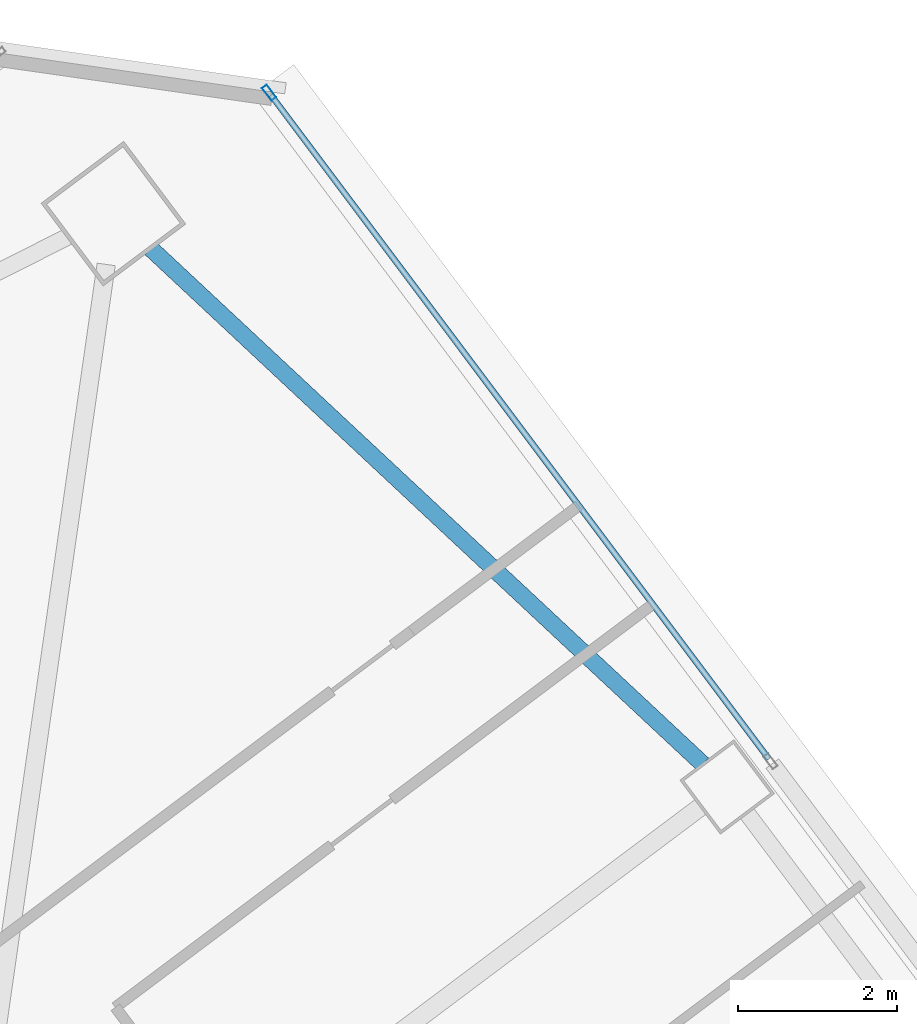
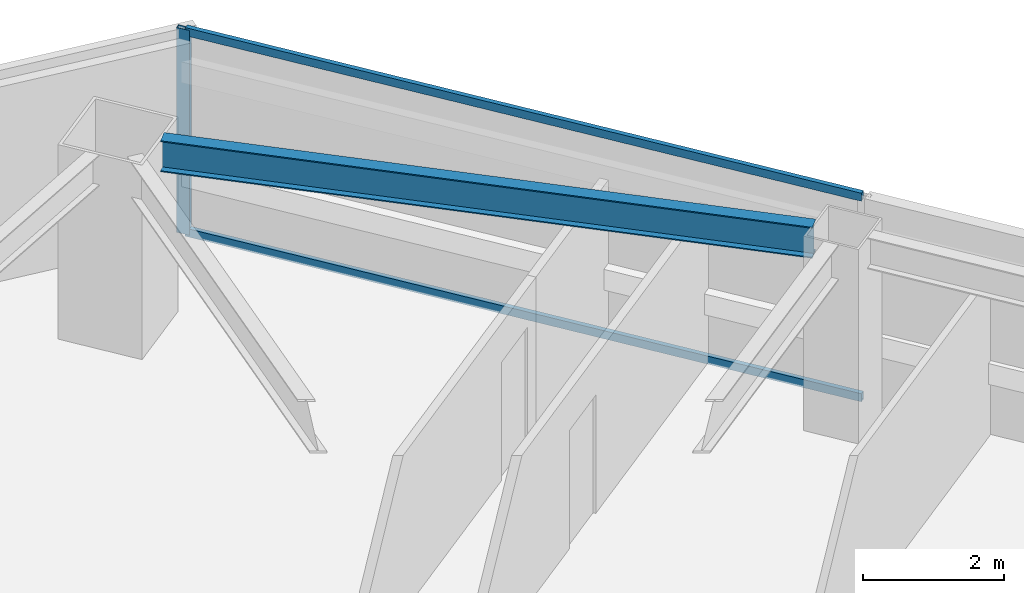
# One storey, part 29 of 41: 3 members, 1 beam, 1 element without a shape of its own.
"""IFC4 building model written with IfcOpenShell, lengths in metres."""

from ifc_helpers import new_model, si_unit, direction, frame, origin, origin_2d, place, context, subcontext, project, spatial, hollow_rectangle, i_section, extrude, material, material_profile, profile_set, type_object, element, aggregate, save


model = new_model("IFC4")

# Units and contexts
model_context = context("Model", 3, precision=1e-05, world=origin(), true_north=direction((0.0, 1.0)))
body_context = subcontext(model_context, "Body", "Model", "MODEL_VIEW")
ifc_project = project(units=[si_unit("LENGTHUNIT", "METRE"), si_unit("AREAUNIT", "SQUARE_METRE"), si_unit("VOLUMEUNIT", "CUBIC_METRE"), si_unit("PLANEANGLEUNIT", "RADIAN"), si_unit("MASSUNIT", "GRAM", prefix="KILO")], contexts=[model_context])

# Site, building, storey
site_placement = place(None, origin())
site = spatial("IfcSite", under=ifc_project, at=site_placement, CompositionType="ELEMENT")
building_placement = place(site_placement, origin())
building = spatial("IfcBuilding", under=site, at=building_placement, Name="Tashvorn Skyway Center", CompositionType="ELEMENT")
storey_placement = place(building_placement, frame((0.0, 0.0, 117.949951171875)))
storey = spatial("IfcBuildingStorey", under=building, at=storey_placement, Name="L31", CompositionType="ELEMENT", Elevation=117.949951171875)

# Beam
ifc_material_1 = material(Name="Steel ASTM A992 Grade 50", Category="steel")
ifc_material_profile_1 = material_profile(ifc_material_1, i_section(OverallWidth=0.2109375, OverallDepth=0.5390625, WebThickness=0.01171875, FlangeThickness=0.018798828125, at=origin_2d()), Name="W21X73")
ifc_profile_set_1 = profile_set([ifc_material_profile_1], Name="Steel ASTM A992 Grade 50")
beam_type = type_object("IfcBeamType", Name="BM-SPANDREL-W21X73", PredefinedType="SPANDREL", material=ifc_profile_set_1)
beam_placement = place(storey_placement, frame((124.572998046875, 47.19677734375, 3.1005859375), z_axis=(-0.730843250868, 0.682545341102, 0.0), x_axis=(-0.682545341102, -0.730843250868, 0.0)))
element("IfcBeam", 1, at=beam_placement, inside=storey, type_object=beam_type, Name="Tower 2 L31 Spandrel Beam 06", PredefinedType="SPANDREL", context=body_context, shape_type="SweptSolid", body=[
    extrude(i_section(OverallWidth=0.2109375, OverallDepth=0.5390625, WebThickness=0.01171875, FlangeThickness=0.018798828125, at=origin_2d()), origin(), (0.0, 0.0, 1.0), 9.498046875),
])

# Curtain wall, members
ifc_material_2 = material(Name="Thermally broken bronze-anodized aluminium 6063-T6", Category="aluminium")
curtain_wall_type = type_object("IfcCurtainWallType", Name="CW-CW-Z3", PredefinedType="NOTDEFINED", material=ifc_material_2)
curtain_wall_placement = place(storey_placement, origin())
curtain_wall = element("IfcCurtainWall", 2, at=curtain_wall_placement, inside=storey, type_object=curtain_wall_type, Name="Tower 2 L31 East Unitised Curtain Wall Glazing Group 1", PredefinedType="NOTDEFINED")
ifc_material_profile_2 = material_profile(ifc_material_2, hollow_rectangle(XDim=0.074951171875, YDim=0.199951171875, WallThickness=0.00439453125, at=origin_2d()), Name="ALU-MULL-75x200")
ifc_profile_set_2 = profile_set([ifc_material_profile_2], Name="Thermally broken bronze-anodized aluminium 6063-T6")
member_type_1 = type_object("IfcMemberType", Name="CWM-CW-Z3", PredefinedType="MULLION", material=ifc_profile_set_2)
member_1_placement = place(storey_placement, frame((119.118408203125, 55.64208984375, 0.0), z_axis=(0.0, 0.0, 1.0), x_axis=(0.799998866489, 0.600001511345, 0.0)))
member_1 = element("IfcMember", 3, at=member_1_placement, type_object=member_type_1, Name="CW-Z3 mullion 1", PredefinedType="MULLION", context=body_context, shape_type="SweptSolid", body=[
    extrude(hollow_rectangle(XDim=0.074951171875, YDim=0.199951171875, WallThickness=0.00439453125, at=origin_2d()), origin(), (0.0, 0.0, 1.0), 3.550048828125),
])
ifc_material_profile_3 = material_profile(ifc_material_2, hollow_rectangle(XDim=0.074951171875, YDim=0.139892578125, WallThickness=0.004150390625, at=origin_2d()), Name="ALU-TRAN-75x140")
ifc_profile_set_3 = profile_set([ifc_material_profile_3], Name="Thermally broken bronze-anodized aluminium 6063-T6")
member_type_2 = type_object("IfcMemberType", Name="CWT-CW-Z3", PredefinedType="USERDEFINED", material=ifc_profile_set_3)
member_2_placement = place(storey_placement, frame((119.14111328125, 55.612060546875, 0.03759765625), z_axis=(0.599996257181, -0.800002807101, 0.0), x_axis=(0.800002807101, 0.599996257181, 0.0)))
member_2 = element("IfcMember", 4, at=member_2_placement, type_object=member_type_2, Name="CW-Z3 transom 1.1", ObjectType="TRANSOM", PredefinedType="USERDEFINED", context=body_context, shape_type="SweptSolid", body=[
    extrude(hollow_rectangle(XDim=0.074951171875, YDim=0.139892578125, WallThickness=0.004150390625, at=origin_2d()), origin(), (0.0, 0.0, 1.0), 10.436767578125),
])
member_3_placement = place(storey_placement, frame((119.14111328125, 55.612060546875, 3.512451171875), z_axis=(0.599996257181, -0.800002807101, 0.0), x_axis=(0.800002807101, 0.599996257181, 0.0)))
member_3 = element("IfcMember", 5, at=member_3_placement, type_object=member_type_2, Name="CW-Z3 transom 1.2", ObjectType="TRANSOM", PredefinedType="USERDEFINED", context=body_context, shape_type="SweptSolid", body=[
    extrude(hollow_rectangle(XDim=0.074951171875, YDim=0.139892578125, WallThickness=0.004150390625, at=origin_2d()), origin(), (0.0, 0.0, 1.0), 10.436767578125),
])
aggregate(curtain_wall, [member_1, member_2, member_3])

save(model, "model.ifc")
